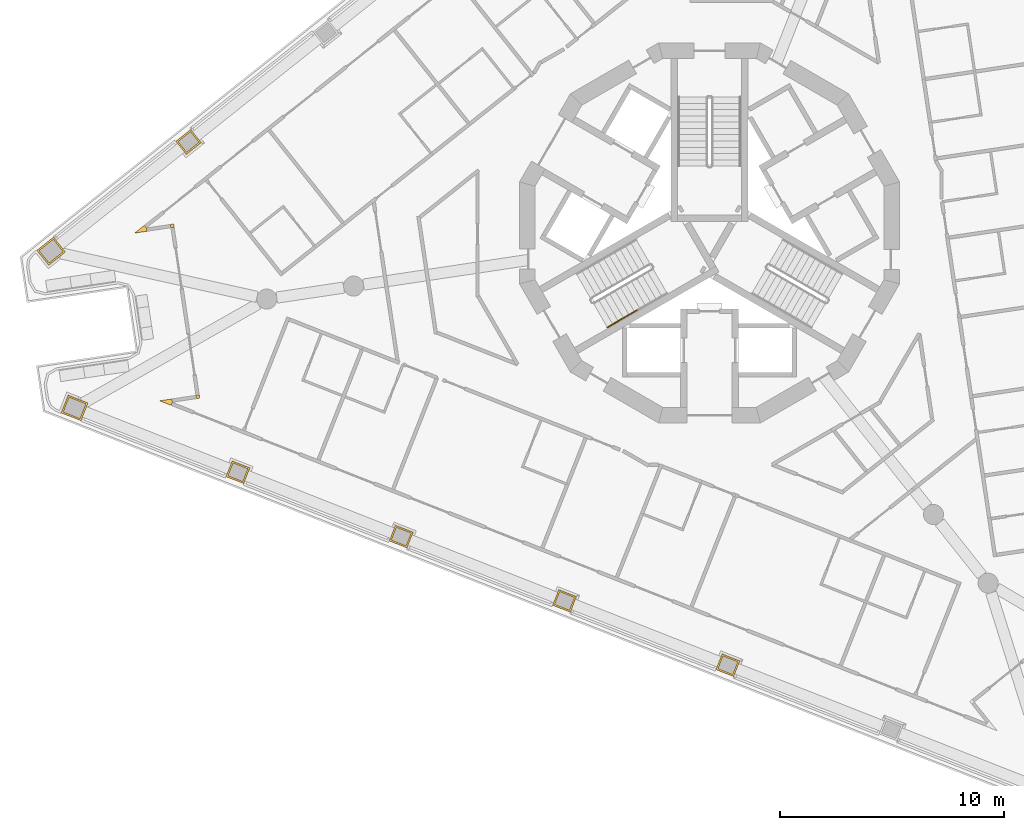
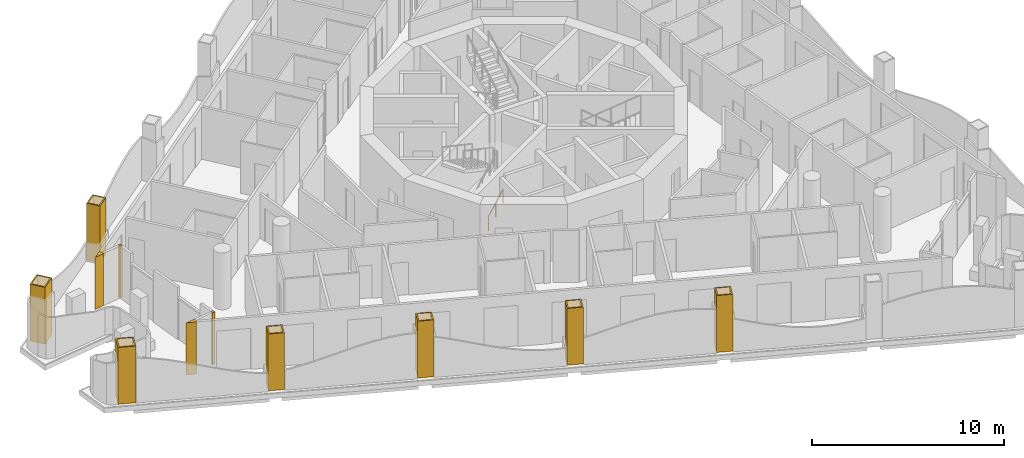
# One storey, part 11 of 17: 11 coverings, 1 railing.
"""IFC4 building model written with IfcOpenShell, lengths in metres."""

from ifc_helpers import new_model, si_unit, direction, frame, origin, origin_2d, place, context, subcontext, project, spatial, polyline, circle, outline, extrude, material, layer, layer_set, type_object, element, save


model = new_model("IFC4")

# Units and contexts
model_context = context("Model", 3, precision=1e-05, world=origin(), true_north=direction((0.0, 1.0)))
body_context = subcontext(model_context, "Body", "Model", "MODEL_VIEW")
ifc_project = project(units=[si_unit("LENGTHUNIT", "METRE"), si_unit("AREAUNIT", "SQUARE_METRE"), si_unit("VOLUMEUNIT", "CUBIC_METRE"), si_unit("PLANEANGLEUNIT", "RADIAN"), si_unit("MASSUNIT", "GRAM", prefix="KILO")], contexts=[model_context])

# Site, building, storey
site_placement = place(None, origin())
site = spatial("IfcSite", under=ifc_project, at=site_placement, CompositionType="ELEMENT")
building_placement = place(site_placement, origin())
building = spatial("IfcBuilding", under=site, at=building_placement, Name="Trine Commons Tower", CompositionType="ELEMENT")
storey_placement = place(building_placement, frame((0.0, 0.0, 216.0)))
storey = spatial("IfcBuildingStorey", under=building, at=storey_placement, Name="L56", CompositionType="ELEMENT", Elevation=216.0)

# Coverings
ifc_material_1 = material(Name="Aluminium-framed insulated wall panel", Category="aluminium")
ifc_layer_1 = layer(ifc_material_1, 0.14990234375)
ifc_layer_set_1 = layer_set([ifc_layer_1], Name="Aluminium-framed insulated wall panel")
covering_type_1 = type_object("IfcCoveringType", Name="Glazing corner post, aluminium", PredefinedType="CLADDING", material=ifc_layer_set_1)
covering_1_placement = place(storey_placement, origin())
element("IfcCovering", 1, at=covering_1_placement, inside=storey, type_object=covering_type_1, Name="Glazing corner post 6-01", PredefinedType="CLADDING", context=body_context, shape_type="SweptSolid", body=[
    extrude(outline(polyline([(54.83642578125, 62.5712890625), (54.814208984375, 62.7197265625), (54.720947265625, 62.837158203125), (54.28271484375, 62.488525390625), (54.83642578125, 62.5712890625)])), origin(), (0.0, 0.0, 1.0), 3.300048828125),
])
covering_2_placement = place(storey_placement, origin())
element("IfcCovering", 2, at=covering_2_placement, inside=storey, type_object=covering_type_1, Name="Glazing corner post 6-10", PredefinedType="CLADDING", context=body_context, shape_type="SweptSolid", body=[
    extrude(outline(polyline([(55.924072265625, 54.78662109375), (55.97900390625, 54.92626953125), (55.956787109375, 55.07470703125), (55.4033203125, 54.991943359375), (55.924072265625, 54.78662109375)])), origin(), (0.0, 0.0, 1.0), 3.300048828125),
])
covering_3_placement = place(storey_placement, origin())
element("IfcCovering", 3, at=covering_3_placement, inside=storey, type_object=covering_type_1, Name="Glazing corner post 6-11", PredefinedType="CLADDING", context=body_context, shape_type="SweptSolid", body=[
    extrude(outline(polyline([(57.030517578125, 55.235107421875), (57.052734375, 55.0869140625), (57.201171875, 55.10888671875), (57.178955078125, 55.25732421875), (57.030517578125, 55.235107421875)])), origin(), (0.0, 0.0, 1.0), 3.300048828125),
])
covering_4_placement = place(storey_placement, origin())
element("IfcCovering", 4, at=covering_4_placement, inside=storey, type_object=covering_type_1, Name="Glazing corner post 6-12", PredefinedType="CLADDING", context=body_context, shape_type="SweptSolid", body=[
    extrude(outline(polyline([(55.91015625, 62.731689453125), (55.91015625, 62.731689453125), (56.05859375, 62.75390625), (56.036376953125, 62.90234375), (55.887939453125, 62.880126953125), (55.91015625, 62.731689453125)])), origin(), (0.0, 0.0, 1.0), 3.300048828125),
])
ifc_material_2 = material(Name="Limestone, honed", Category="masonry")
ifc_layer_2 = layer(ifc_material_2, 0.074951171875)
ifc_layer_set_2 = layer_set([ifc_layer_2], Name="Limestone, honed")
covering_type_2 = type_object("IfcCoveringType", Name="Limestone column cladding 75", PredefinedType="CLADDING", material=ifc_layer_set_2)
covering_5_placement = place(storey_placement, origin())
element("IfcCovering", 5, at=covering_5_placement, inside=storey, type_object=covering_type_2, Name="Limestone pier cladding 6-03", PredefinedType="CLADDING", context=body_context, shape_type="SweptSolid", body=[
    extrude(outline(polyline([(80.562744140625, 43.66796875), (80.287841796875, 42.97021484375), (81.078857421875, 42.658447265625), (81.353759765625, 43.356201171875), (80.562744140625, 43.66796875)]), holes=[polyline([(80.60498046875, 43.570556640625), (80.38525390625, 43.012451171875), (81.03662109375, 42.755859375), (81.25634765625, 43.31396484375), (80.60498046875, 43.570556640625)])]), origin(), (0.0, 0.0, 1.0), 3.60009765625),
])
covering_6_placement = place(storey_placement, origin())
element("IfcCovering", 6, at=covering_6_placement, inside=storey, type_object=covering_type_2, Name="Limestone pier cladding 6-04", PredefinedType="CLADDING", context=body_context, shape_type="SweptSolid", body=[
    extrude(outline(polyline([(73.25830078125, 46.545166015625), (72.9833984375, 45.847412109375), (73.7744140625, 45.535888671875), (74.04931640625, 46.233642578125), (73.25830078125, 46.545166015625)]), holes=[polyline([(73.30078125, 46.447998046875), (73.080810546875, 45.8896484375), (73.732177734375, 45.633056640625), (73.951904296875, 46.19140625), (73.30078125, 46.447998046875)])]), origin(), (0.0, 0.0, 1.0), 3.60009765625),
])
covering_7_placement = place(storey_placement, origin())
element("IfcCovering", 7, at=covering_7_placement, inside=storey, type_object=covering_type_2, Name="Limestone pier cladding 6-05", PredefinedType="CLADDING", context=body_context, shape_type="SweptSolid", body=[
    extrude(outline(polyline([(65.9541015625, 49.42236328125), (65.67919921875, 48.724609375), (66.47021484375, 48.4130859375), (66.7451171875, 49.11083984375), (65.9541015625, 49.42236328125)]), holes=[polyline([(65.996337890625, 49.3251953125), (65.776611328125, 48.766845703125), (66.427734375, 48.51025390625), (66.647705078125, 49.068603515625), (65.996337890625, 49.3251953125)])]), origin(), (0.0, 0.0, 1.0), 3.60009765625),
])
covering_8_placement = place(storey_placement, origin())
element("IfcCovering", 8, at=covering_8_placement, inside=storey, type_object=covering_type_2, Name="Limestone pier cladding 6-06", PredefinedType="CLADDING", context=body_context, shape_type="SweptSolid", body=[
    extrude(outline(polyline([(58.64990234375, 52.2998046875), (58.375, 51.601806640625), (59.165771484375, 51.290283203125), (59.440673828125, 51.988037109375), (58.64990234375, 52.2998046875)]), holes=[polyline([(58.692138671875, 52.202392578125), (58.47216796875, 51.644287109375), (59.12353515625, 51.3876953125), (59.343505859375, 51.94580078125), (58.692138671875, 52.202392578125)])]), origin(), (0.0, 0.0, 1.0), 3.60009765625),
])
covering_9_placement = place(storey_placement, origin())
element("IfcCovering", 9, at=covering_9_placement, inside=storey, type_object=covering_type_2, Name="Limestone pier cladding 6-07", PredefinedType="CLADDING", context=body_context, shape_type="SweptSolid", body=[
    extrude(outline(polyline([(51.317138671875, 55.24169921875), (51.005615234375, 54.450927734375), (51.8896484375, 54.102783203125), (52.201171875, 54.8935546875), (51.317138671875, 55.24169921875)]), holes=[polyline([(51.359619140625, 55.14453125), (51.10302734375, 54.493408203125), (51.847412109375, 54.2001953125), (52.103759765625, 54.851318359375), (51.359619140625, 55.14453125)])]), origin(), (0.0, 0.0, 1.0), 3.60009765625),
])
covering_10_placement = place(storey_placement, origin())
element("IfcCovering", 10, at=covering_10_placement, inside=storey, type_object=covering_type_2, Name="Limestone pier cladding 6-08", PredefinedType="CLADDING", context=body_context, shape_type="SweptSolid", body=[
    extrude(outline(polyline([(51.19189453125, 61.646484375), (50.662841796875, 62.311767578125), (49.919189453125, 61.72021484375), (50.448486328125, 61.05517578125), (51.19189453125, 61.646484375)]), holes=[polyline([(51.08642578125, 61.658447265625), (50.65087890625, 62.206298828125), (50.024658203125, 61.708251953125), (50.46044921875, 61.160400390625), (51.08642578125, 61.658447265625)])]), origin(), (0.0, 0.0, 1.0), 3.60009765625),
])
covering_11_placement = place(storey_placement, origin())
element("IfcCovering", 11, at=covering_11_placement, inside=storey, type_object=covering_type_2, Name="Limestone pier cladding 6-09", PredefinedType="CLADDING", context=body_context, shape_type="SweptSolid", body=[
    extrude(outline(polyline([(57.265625, 66.54150390625), (56.798583984375, 67.12841796875), (56.13330078125, 66.599365234375), (56.600341796875, 66.012451171875), (57.265625, 66.54150390625)]), holes=[polyline([(57.16015625, 66.5537109375), (56.78662109375, 67.023193359375), (56.23876953125, 66.58740234375), (56.6123046875, 66.117919921875), (57.16015625, 66.5537109375)])]), origin(), (0.0, 0.0, 1.0), 3.60009765625),
])

# Railing
ifc_material_3 = material(Name="Stainless steel handrail", Category="steel")
railing_type = type_object("IfcRailingType", Name="Stair handrail, steel 900", PredefinedType="HANDRAIL", material=ifc_material_3)
railing_placement = place(storey_placement, frame((75.43017578125, 58.27392578125, 0.14990234375)))
element("IfcRailing", 12, at=railing_placement, inside=storey, type_object=railing_type, Name="L56 ST2C stair handrail 1", PredefinedType="HANDRAIL", context=body_context, shape_type="SweptSolid", body=[
    extrude(circle(Radius=0.02099609375, at=origin_2d()), frame((0.0, 0.0, 0.87890625), z_axis=(0.763354580307, 0.440713956853, 0.472293333596), x_axis=(-0.499992328818, 0.866029832698, 0.0)), (0.0, 0.0, 1.0), 1.747314453125),
    extrude(circle(Radius=0.01513671875, at=origin_2d()), origin(), (0.0, 0.0, 1.0), 0.85791015625),
    extrude(circle(Radius=0.01513671875, at=origin_2d()), frame((0.6669921875, 0.385009765625, 0.41259765625)), (0.0, 0.0, 1.0), 0.85791015625),
    extrude(circle(Radius=0.01513671875, at=origin_2d()), frame((1.333740234375, 0.77001953125, 0.8251953125)), (0.0, 0.0, 1.0), 0.85791015625),
])

save(model, "model.ifc")
